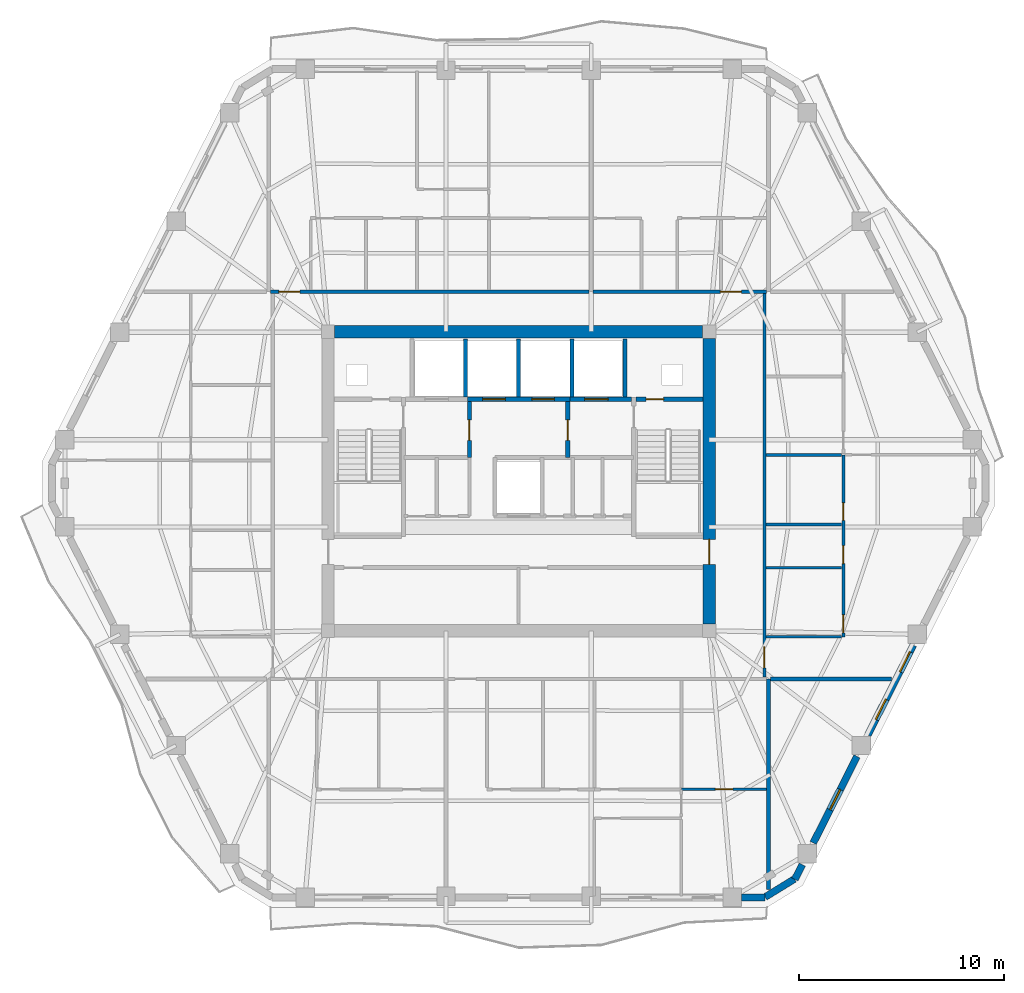
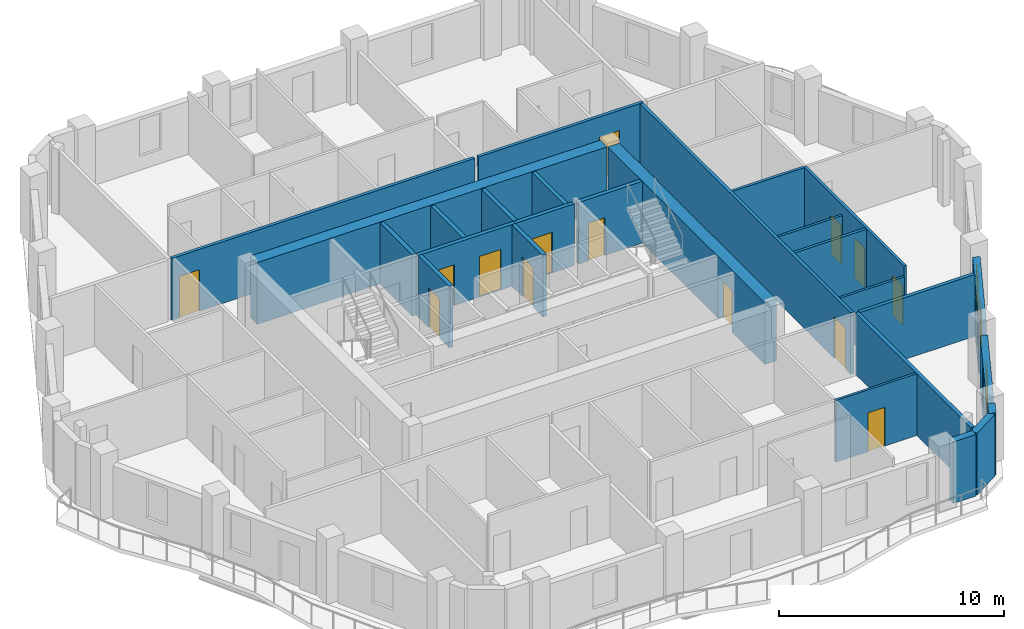
# One storey, part 6 of 11: 27 walls, 14 doors, 3 windows, 17 openings.
"""IFC4 building model written with IfcOpenShell, lengths in metres."""

from ifc_helpers import new_model, si_unit, direction, frame, frame_2d, origin, place, context, subcontext, project, spatial, rectangle, extrude, material, layer, layer_set, type_object, element, fill, save


model = new_model("IFC4")

# Units and contexts
model_context = context("Model", 3, precision=1e-05, world=origin(), true_north=direction((0.0, 1.0)))
body_context = subcontext(model_context, "Body", "Model", "MODEL_VIEW")
ifc_project = project(units=[si_unit("LENGTHUNIT", "METRE"), si_unit("AREAUNIT", "SQUARE_METRE"), si_unit("VOLUMEUNIT", "CUBIC_METRE"), si_unit("PLANEANGLEUNIT", "RADIAN"), si_unit("MASSUNIT", "GRAM", prefix="KILO")], contexts=[model_context])

# Site, building, storey
site_placement = place(None, origin())
site = spatial("IfcSite", under=ifc_project, at=site_placement, CompositionType="ELEMENT")
building_placement = place(site_placement, origin())
building = spatial("IfcBuilding", under=site, at=building_placement, Name="Cinnabar Lancet Tower", CompositionType="ELEMENT")
storey_placement = place(building_placement, frame((0.0, 0.0, 175.449951171875)))
storey = spatial("IfcBuildingStorey", under=building, at=storey_placement, Name="L46", CompositionType="ELEMENT", Elevation=175.449951171875)

# Wall, opening, door
ifc_material_1 = material(Name="Acoustic twin-stud gypsum partition", Category="gypsum")
ifc_layer_1 = layer(ifc_material_1, 0.159912109375)
ifc_layer_set_1 = layer_set([ifc_layer_1], Name="Acoustic twin-stud gypsum partition")
wall_type_1 = type_object("IfcWallType", Name="ARC-WL-CORR-160", PredefinedType="PARTITIONING", material=ifc_layer_set_1)
wall_1_placement = place(storey_placement, frame((20.294921875, 35.14990234375, 0.0), z_axis=(0.0, 0.0, 1.0), x_axis=(1.0, 0.0, 0.0)))
wall_1 = element("IfcWall", 1, at=wall_1_placement, inside=storey, type_object=wall_type_1, Name="L46 Unit N01 Corridor Wall", PredefinedType="PARTITIONING", context=body_context, shape_type="SweptSolid", body=[
    extrude(rectangle(XDim=15.552978515625, YDim=0.159912109375, at=frame_2d((7.7763671875, 0.0))), origin(), (0.0, 0.0, 1.0), 3.35009765625),
])
opening_1_placement = place(wall_1_placement, frame((0.405029296875, 0.0, 0.0)))
opening_1 = element("IfcOpeningElement", 2, at=opening_1_placement, cuts=wall_1, Name="Opening UD-01", PredefinedType="OPENING", context=body_context, shape_type="SweptSolid", body=[
    extrude(rectangle(XDim=1.02001953125, YDim=2.25, at=frame_2d((0.510009765625, 1.125))), frame((0.0, 0.08984375, 0.0), z_axis=(0.0, -1.0, 0.0), x_axis=(1.0, 0.0, 0.0)), (0.0, 0.0, 1.0), 0.179931640625),
])
ifc_material_2 = material(Name="Solid timber fire-rated apartment entrance door", Category="wood")
door_type_1 = type_object("IfcDoorType", Name="ARC-DR-UNIT", OperationType="NOTDEFINED", PredefinedType="DOOR", material=ifc_material_2)
door_1_placement = place(opening_1_placement, origin())
door_1 = element("IfcDoor", 3, at=door_1_placement, inside=storey, type_object=door_type_1, Name="DR-L46-N01-ENT", OperationType="SINGLE_SWING_LEFT", OverallHeight=2.25, OverallWidth=1.02001953125, PredefinedType="DOOR", context=body_context, shape_type="SweptSolid", body=[
    extrude(rectangle(XDim=1.02001953125, YDim=2.25, at=frame_2d((0.510009765625, 1.125))), frame((0.0, 0.02490234375, 0.0), z_axis=(0.0, -1.0, 0.0), x_axis=(1.0, 0.0, 0.0)), (0.0, 0.0, 1.0), 0.050048828125),
])
fill(opening_1, door_1)

wall_2_placement = place(storey_placement, frame((36.0380859375, 35.14990234375, 0.0), z_axis=(0.0, 0.0, 1.0), x_axis=(1.0, 0.0, 0.0)))
wall_2 = element("IfcWall", 4, at=wall_2_placement, inside=storey, type_object=wall_type_1, Name="L46 Unit N02 Corridor Wall", PredefinedType="PARTITIONING", context=body_context, shape_type="SweptSolid", body=[
    extrude(rectangle(XDim=8.466796875, YDim=0.159912109375, at=frame_2d((4.2333984375, 0.0))), origin(), (0.0, 0.0, 1.0), 3.35009765625),
])
opening_2_placement = place(wall_2_placement, frame((6.2119140625, 0.0, 0.0)))
opening_2 = element("IfcOpeningElement", 5, at=opening_2_placement, cuts=wall_2, Name="Opening UD-01", PredefinedType="OPENING", context=body_context, shape_type="SweptSolid", body=[
    extrude(rectangle(XDim=1.02001953125, YDim=2.25, at=frame_2d((0.510009765625, 1.125))), frame((0.0, 0.08984375, 0.0), z_axis=(0.0, -1.0, 0.0), x_axis=(1.0, 0.0, 0.0)), (0.0, 0.0, 1.0), 0.179931640625),
])
door_2_placement = place(opening_2_placement, origin())
door_2 = element("IfcDoor", 6, at=door_2_placement, inside=storey, type_object=door_type_1, Name="DR-L46-N02-ENT", OperationType="SINGLE_SWING_RIGHT", OverallHeight=2.25, OverallWidth=1.02001953125, PredefinedType="DOOR", context=body_context, shape_type="SweptSolid", body=[
    extrude(rectangle(XDim=1.02001953125, YDim=2.25, at=frame_2d((0.510009765625, 1.125))), frame((0.0, 0.02490234375, 0.0), z_axis=(0.0, -1.0, 0.0), x_axis=(1.0, 0.0, 0.0)), (0.0, 0.0, 1.0), 0.050048828125),
])
fill(opening_2, door_2)

wall_3_placement = place(storey_placement, frame((44.39990234375, 16.344970703125, 0.0), z_axis=(0.0, 0.0, 1.0), x_axis=(0.0, 1.0, 0.0)))
wall_3 = element("IfcWall", 7, at=wall_3_placement, inside=storey, type_object=wall_type_1, Name="UW-L46-E01-COR", PredefinedType="PARTITIONING", context=body_context, shape_type="SweptSolid", body=[
    extrude(rectangle(XDim=18.7099609375, YDim=0.159912109375, at=frame_2d((9.35498046875, 0.0))), origin(), (0.0, 0.0, 1.0), 3.35009765625),
])
opening_3_placement = place(wall_3_placement, frame((0.449951171875, 0.0, 0.0)))
opening_3 = element("IfcOpeningElement", 8, at=opening_3_placement, cuts=wall_3, Name="Opening UD-01", PredefinedType="OPENING", context=body_context, shape_type="SweptSolid", body=[
    extrude(rectangle(XDim=1.02001953125, YDim=2.25, at=frame_2d((0.510009765625, 1.125))), frame((0.0, 0.08984375, 0.0), z_axis=(0.0, -1.0, 0.0), x_axis=(1.0, 0.0, 0.0)), (0.0, 0.0, 1.0), 0.179931640625),
])
door_3_placement = place(opening_3_placement, origin())
door_3 = element("IfcDoor", 9, at=door_3_placement, inside=storey, type_object=door_type_1, Name="DR-L46-E01-ENT", OperationType="SINGLE_SWING_LEFT", OverallHeight=2.25, OverallWidth=1.02001953125, PredefinedType="DOOR", context=body_context, shape_type="SweptSolid", body=[
    extrude(rectangle(XDim=1.02001953125, YDim=2.25, at=frame_2d((0.510009765625, 1.125))), frame((0.0, 0.02490234375, 0.0), z_axis=(0.0, -1.0, 0.0), x_axis=(1.0, 0.0, 0.0)), (0.0, 0.0, 1.0), 0.050048828125),
])
fill(opening_3, door_3)

# Walls
ifc_material_3 = material(Name="Fire-rated twin-frame acoustic drywall", Category="gypsum")
ifc_layer_2 = layer(ifc_material_3, 0.179931640625)
ifc_layer_set_2 = layer_set([ifc_layer_2], Name="Fire-rated twin-frame acoustic drywall")
wall_type_2 = type_object("IfcWallType", Name="ARC-WL-PARTY-180", PredefinedType="PARTITIONING", material=ifc_layer_set_2)
wall_4_placement = place(storey_placement, frame((44.60009765625, 5.968017578125, 0.0), z_axis=(0.0, 0.0, 1.0), x_axis=(0.0, 1.0, 0.0)))
element("IfcWall", 10, at=wall_4_placement, inside=storey, type_object=wall_type_2, Name="PW-L46-SPTY-446", PredefinedType="PARTITIONING", context=body_context, shape_type="SweptSolid", body=[
    extrude(rectangle(XDim=10.281982421875, YDim=0.179931640625, at=frame_2d((5.14111328125, 0.0))), origin(), (0.0, 0.0, 1.0), 3.35009765625),
])
wall_5_placement = place(storey_placement, frame((44.695068359375, 16.25, 0.0), z_axis=(0.0, 0.0, 1.0), x_axis=(1.0, 0.0, 0.0)))
element("IfcWall", 11, at=wall_5_placement, inside=storey, type_object=wall_type_2, Name="PW-L46-ESB", PredefinedType="PARTITIONING", context=body_context, shape_type="SweptSolid", body=[
    extrude(rectangle(XDim=5.89404296875, YDim=0.179931640625, at=frame_2d((2.947021484375, 0.0))), origin(), (0.0, 0.0, 1.0), 3.35009765625),
])

# Wall, openings, doors
ifc_material_4 = material(Name="Autoclaved aerated concrete blockwork", Category="masonry")
ifc_layer_3 = layer(ifc_material_4, 0.199951171875)
ifc_layer_set_3 = layer_set([ifc_layer_3], Name="Autoclaved aerated concrete blockwork")
wall_type_3 = type_object("IfcWallType", Name="ARC-WL-SHAFT-200", PredefinedType="PLUMBINGWALL", material=ifc_layer_set_3)
wall_6_placement = place(storey_placement, frame((29.89990234375, 29.89990234375, 0.0), z_axis=(0.0, 0.0, 1.0), x_axis=(1.0, 0.0, 0.0)))
wall_6 = element("IfcWall", 12, at=wall_6_placement, inside=storey, type_object=wall_type_3, Name="CW-PL78-L46", PredefinedType="PLUMBINGWALL", context=body_context, shape_type="SweptSolid", body=[
    extrude(rectangle(XDim=5.0, YDim=0.199951171875, at=frame_2d((2.5, 0.0))), origin(), (0.0, 0.0, 1.0), 3.35009765625),
])
opening_4_placement = place(wall_6_placement, frame((0.75, 0.0, 0.0)))
opening_4 = element("IfcOpeningElement", 13, at=opening_4_placement, cuts=wall_6, Name="Opening LD-01", PredefinedType="OPENING", context=body_context, shape_type="SweptSolid", body=[
    extrude(rectangle(XDim=1.10009765625, YDim=2.199951171875, at=frame_2d((0.550048828125, 1.10009765625))), frame((0.0, 0.10986328125, 0.0), z_axis=(0.0, -1.0, 0.0), x_axis=(1.0, 0.0, 0.0)), (0.0, 0.0, 1.0), 0.219970703125),
])
opening_5_placement = place(wall_6_placement, frame((3.14990234375, 0.0, 0.0)))
opening_5 = element("IfcOpeningElement", 14, at=opening_5_placement, cuts=wall_6, Name="Opening LD-01", PredefinedType="OPENING", context=body_context, shape_type="SweptSolid", body=[
    extrude(rectangle(XDim=1.10009765625, YDim=2.199951171875, at=frame_2d((0.550048828125, 1.10009765625))), frame((0.0, 0.10986328125, 0.0), z_axis=(0.0, -1.0, 0.0), x_axis=(1.0, 0.0, 0.0)), (0.0, 0.0, 1.0), 0.219970703125),
])
ifc_material_5 = material(Name="Brushed stainless steel sliding lift door", Category="steel")
door_type_2 = type_object("IfcDoorType", Name="ARC-DR-LD-PASS", OperationType="NOTDEFINED", PredefinedType="DOOR", material=ifc_material_5)
door_4_placement = place(opening_4_placement, origin())
door_4 = element("IfcDoor", 15, at=door_4_placement, inside=storey, type_object=door_type_2, Name="L46 Lift PL-7 Landing Door", OperationType="DOUBLE_DOOR_SLIDING", OverallHeight=2.199951171875, OverallWidth=1.10009765625, PredefinedType="DOOR", context=body_context, shape_type="SweptSolid", body=[
    extrude(rectangle(XDim=1.10009765625, YDim=2.199951171875, at=frame_2d((0.550048828125, 1.10009765625))), frame((0.0, 0.02490234375, 0.0), z_axis=(0.0, -1.0, 0.0), x_axis=(1.0, 0.0, 0.0)), (0.0, 0.0, 1.0), 0.050048828125),
])
fill(opening_4, door_4)
door_5_placement = place(opening_5_placement, origin())
door_5 = element("IfcDoor", 16, at=door_5_placement, inside=storey, type_object=door_type_2, Name="L46 Lift PL-8 Landing Door", OperationType="DOUBLE_DOOR_SLIDING", OverallHeight=2.199951171875, OverallWidth=1.10009765625, PredefinedType="DOOR", context=body_context, shape_type="SweptSolid", body=[
    extrude(rectangle(XDim=1.10009765625, YDim=2.199951171875, at=frame_2d((0.550048828125, 1.10009765625))), frame((0.0, 0.02490234375, 0.0), z_axis=(0.0, -1.0, 0.0), x_axis=(1.0, 0.0, 0.0)), (0.0, 0.0, 1.0), 0.050048828125),
])
fill(opening_5, door_5)

# Wall, opening, door
wall_7_placement = place(storey_placement, frame((34.89990234375, 29.89990234375, 0.0), z_axis=(0.0, 0.0, 1.0), x_axis=(1.0, 0.0, 0.0)))
wall_7 = element("IfcWall", 17, at=wall_7_placement, inside=storey, type_object=wall_type_3, Name="CW-FL2-L46", PredefinedType="PLUMBINGWALL", context=body_context, shape_type="SweptSolid", body=[
    extrude(rectangle(XDim=3.01513671875, YDim=0.199951171875, at=frame_2d((1.507568359375, 0.0))), origin(), (0.0, 0.0, 1.0), 3.35009765625),
])
opening_6_placement = place(wall_7_placement, frame((0.72509765625, 0.0, 0.0)))
opening_6 = element("IfcOpeningElement", 18, at=opening_6_placement, cuts=wall_7, Name="Opening LD-02", PredefinedType="OPENING", context=body_context, shape_type="SweptSolid", body=[
    extrude(rectangle(XDim=1.14990234375, YDim=2.199951171875, at=frame_2d((0.574951171875, 1.10009765625))), frame((0.0, 0.10986328125, 0.0), z_axis=(0.0, -1.0, 0.0), x_axis=(1.0, 0.0, 0.0)), (0.0, 0.0, 1.0), 0.219970703125),
])
ifc_material_6 = material(Name="Fire-rated stainless steel firefighting lift landing door", Category="steel")
door_type_3 = type_object("IfcDoorType", Name="ARC-DR-LD-FIRE", OperationType="NOTDEFINED", PredefinedType="DOOR", material=ifc_material_6)
door_6_placement = place(opening_6_placement, origin())
door_6 = element("IfcDoor", 19, at=door_6_placement, inside=storey, type_object=door_type_3, Name="L46 Firefighting Lift FL-2 Landing Door", OperationType="DOUBLE_DOOR_SLIDING", OverallHeight=2.199951171875, OverallWidth=1.14990234375, PredefinedType="DOOR", context=body_context, shape_type="SweptSolid", body=[
    extrude(rectangle(XDim=1.14990234375, YDim=2.199951171875, at=frame_2d((0.574951171875, 1.10009765625))), frame((0.0, 0.02490234375, 0.0), z_axis=(0.0, -1.0, 0.0), x_axis=(1.0, 0.0, 0.0)), (0.0, 0.0, 1.0), 0.050048828125),
])
fill(opening_6, door_6)

wall_8_placement = place(storey_placement, frame((38.125, 29.89990234375, 0.0), z_axis=(0.0, 0.0, 1.0), x_axis=(1.0, 0.0, 0.0)))
wall_8 = element("IfcWall", 20, at=wall_8_placement, inside=storey, type_object=wall_type_3, Name="CW-NSH-E-L46", PredefinedType="PLUMBINGWALL", context=body_context, shape_type="SweptSolid", body=[
    extrude(rectangle(XDim=3.27001953125, YDim=0.199951171875, at=frame_2d((1.635009765625, 0.0))), origin(), (0.0, 0.0, 1.0), 3.35009765625),
])
opening_7_placement = place(wall_8_placement, frame((0.5, 0.0, 0.0)))
opening_7 = element("IfcOpeningElement", 21, at=opening_7_placement, cuts=wall_8, Name="Opening PD-02", PredefinedType="OPENING", context=body_context, shape_type="SweptSolid", body=[
    extrude(rectangle(XDim=0.85009765625, YDim=2.050048828125, at=frame_2d((0.425048828125, 1.02490234375))), frame((0.0, 0.10986328125, 0.0), z_axis=(0.0, -1.0, 0.0), x_axis=(1.0, 0.0, 0.0)), (0.0, 0.0, 1.0), 0.219970703125),
])
ifc_material_7 = material(Name="Fire-rated steel riser access door", Category="steel")
door_type_4 = type_object("IfcDoorType", Name="ARC-DR-RISER", OperationType="NOTDEFINED", PredefinedType="DOOR", material=ifc_material_7)
door_7_placement = place(opening_7_placement, origin())
door_7 = element("IfcDoor", 22, at=door_7_placement, inside=storey, type_object=door_type_4, Name="L46 East Riser Access Door", OperationType="SINGLE_SWING_RIGHT", OverallHeight=2.050048828125, OverallWidth=0.85009765625, PredefinedType="DOOR", context=body_context, shape_type="SweptSolid", body=[
    extrude(rectangle(XDim=0.85009765625, YDim=2.050048828125, at=frame_2d((0.425048828125, 1.02490234375))), frame((0.0, 0.02490234375, 0.0), z_axis=(0.0, -1.0, 0.0), x_axis=(1.0, 0.0, 0.0)), (0.0, 0.0, 1.0), 0.050048828125),
])
fill(opening_7, door_7)

# Walls
for number, where, z_axis, x_axis, name in (
    (23, (29.800048828125, 30.0, 0.0), (0.0, 0.0, 1.0), (0.0, 1.0, 0.0), "CW-NSH-D2-L46"),
    (24, (32.39990234375, 30.0, 0.0), (0.0, 0.0, 1.0), (0.0, 1.0, 0.0), "CW-NSH-D3-L46"),
    (25, (35.0, 30.0, 0.0), (0.0, 0.0, 1.0), (0.0, 1.0, 0.0), "CW-NSH-D4-L46"),
    (26, (37.60009765625, 30.0, 0.0), (0.0, 0.0, 1.0), (0.0, 1.0, 0.0), "CW-NSH-D5-L46"),
):
    element("IfcWall", number, at=place(storey_placement, frame(where, z_axis=z_axis, x_axis=x_axis)), inside=storey, type_object=wall_type_3, Name=name, PredefinedType="PLUMBINGWALL", context=body_context, shape_type="SweptSolid", body=[
        extrude(rectangle(XDim=2.85009765625, YDim=0.199951171875, at=frame_2d((1.425048828125, 0.0))), origin(), (0.0, 0.0, 1.0), 3.35009765625),
    ])

# Wall, opening, door
wall_9_placement = place(storey_placement, frame((30.0, 27.050048828125, 0.0), z_axis=(0.0, 0.0, 1.0), x_axis=(0.0, 1.0, 0.0)))
wall_9 = element("IfcWall", 27, at=wall_9_placement, inside=storey, type_object=wall_type_3, Name="CW-FF1E-L46", PredefinedType="PLUMBINGWALL", context=body_context, shape_type="SweptSolid", body=[
    extrude(rectangle(XDim=2.75, YDim=0.199951171875, at=frame_2d((1.375, 0.0))), origin(), (0.0, 0.0, 1.0), 3.35009765625),
])
opening_8_placement = place(wall_9_placement, frame((0.85009765625, 0.0, 0.0)))
opening_8 = element("IfcOpeningElement", 28, at=opening_8_placement, cuts=wall_9, Name="Opening FD-01", PredefinedType="OPENING", context=body_context, shape_type="SweptSolid", body=[
    extrude(rectangle(XDim=1.0, YDim=2.14990234375, at=frame_2d((0.5, 1.074951171875))), frame((0.0, 0.10986328125, 0.0), z_axis=(0.0, -1.0, 0.0), x_axis=(1.0, 0.0, 0.0)), (0.0, 0.0, 1.0), 0.219970703125),
])
ifc_material_8 = material(Name="Fire-rated timber-core lobby door", Category="wood")
door_type_5 = type_object("IfcDoorType", Name="ARC-DR-FFAL", OperationType="NOTDEFINED", PredefinedType="DOOR", material=ifc_material_8)
door_8_placement = place(opening_8_placement, origin())
door_8 = element("IfcDoor", 29, at=door_8_placement, inside=storey, type_object=door_type_5, Name="L46 FFAL-1 Lobby Fire Door", OperationType="SINGLE_SWING_RIGHT", OverallHeight=2.14990234375, OverallWidth=1.0, PredefinedType="DOOR", context=body_context, shape_type="SweptSolid", body=[
    extrude(rectangle(XDim=1.0, YDim=2.14990234375, at=frame_2d((0.5, 1.074951171875))), frame((0.0, 0.02490234375, 0.0), z_axis=(0.0, -1.0, 0.0), x_axis=(1.0, 0.0, 0.0)), (0.0, 0.0, 1.0), 0.050048828125),
])
fill(opening_8, door_8)

wall_10_placement = place(storey_placement, frame((34.800048828125, 27.050048828125, 0.0), z_axis=(0.0, 0.0, 1.0), x_axis=(0.0, 1.0, 0.0)))
wall_10 = element("IfcWall", 30, at=wall_10_placement, inside=storey, type_object=wall_type_3, Name="CW-FF2W-L46", PredefinedType="PLUMBINGWALL", context=body_context, shape_type="SweptSolid", body=[
    extrude(rectangle(XDim=2.75, YDim=0.199951171875, at=frame_2d((1.375, 0.0))), origin(), (0.0, 0.0, 1.0), 3.35009765625),
])
opening_9_placement = place(wall_10_placement, frame((0.85009765625, 0.0, 0.0)))
opening_9 = element("IfcOpeningElement", 31, at=opening_9_placement, cuts=wall_10, Name="Opening FD-01", PredefinedType="OPENING", context=body_context, shape_type="SweptSolid", body=[
    extrude(rectangle(XDim=1.0, YDim=2.14990234375, at=frame_2d((0.5, 1.074951171875))), frame((0.0, 0.10986328125, 0.0), z_axis=(0.0, -1.0, 0.0), x_axis=(1.0, 0.0, 0.0)), (0.0, 0.0, 1.0), 0.219970703125),
])
door_9_placement = place(opening_9_placement, origin())
door_9 = element("IfcDoor", 32, at=door_9_placement, inside=storey, type_object=door_type_5, Name="L46 FFAL-2 Lobby Fire Door", OperationType="SINGLE_SWING_LEFT", OverallHeight=2.14990234375, OverallWidth=1.0, PredefinedType="DOOR", context=body_context, shape_type="SweptSolid", body=[
    extrude(rectangle(XDim=1.0, YDim=2.14990234375, at=frame_2d((0.5, 1.074951171875))), frame((0.0, 0.02490234375, 0.0), z_axis=(0.0, -1.0, 0.0), x_axis=(1.0, 0.0, 0.0)), (0.0, 0.0, 1.0), 0.050048828125),
])
fill(opening_9, door_9)

ifc_material_9 = material(Name="Gypsum plasterboard stud partition", Category="gypsum")
ifc_layer_4 = layer(ifc_material_9, 0.125)
ifc_layer_set_4 = layer_set([ifc_layer_4], Name="Gypsum plasterboard stud partition")
wall_type_4 = type_object("IfcWallType", Name="ARC-WL-UNIT-125", PredefinedType="PARTITIONING", material=ifc_layer_set_4)
wall_11_placement = place(storey_placement, frame((40.34912109375, 10.85595703125, 0.0), z_axis=(0.0, 0.0, 1.0), x_axis=(1.0, 0.0, 0.0)))
wall_11 = element("IfcWall", 33, at=wall_11_placement, inside=storey, type_object=wall_type_4, Name="UW-L46-S02-SP2", PredefinedType="PARTITIONING", context=body_context, shape_type="SweptSolid", body=[
    extrude(rectangle(XDim=4.15576171875, YDim=0.125, at=frame_2d((2.077880859375, 0.0))), origin(), (0.0, 0.0, 1.0), 3.35009765625),
])
opening_10_placement = place(wall_11_placement, frame((1.653076171875, 0.0, 0.0)))
opening_10 = element("IfcOpeningElement", 34, at=opening_10_placement, cuts=wall_11, Name="Opening BD-01", PredefinedType="OPENING", context=body_context, shape_type="SweptSolid", body=[
    extrude(rectangle(XDim=0.860107421875, YDim=2.10009765625, at=frame_2d((0.43017578125, 1.050048828125))), frame((0.0, 0.072509765625, 0.0), z_axis=(0.0, -1.0, 0.0), x_axis=(1.0, 0.0, 0.0)), (0.0, 0.0, 1.0), 0.14501953125),
])
ifc_material_10 = material(Name="Moisture-resistant timber bathroom door", Category="wood")
door_type_6 = type_object("IfcDoorType", Name="ARC-DR-BATH", OperationType="NOTDEFINED", PredefinedType="DOOR", material=ifc_material_10)
door_10_placement = place(opening_10_placement, origin())
door_10 = element("IfcDoor", 35, at=door_10_placement, inside=storey, type_object=door_type_6, Name="DR-L46-S02-ENS", OperationType="SINGLE_SWING_LEFT", OverallHeight=2.10009765625, OverallWidth=0.860107421875, PredefinedType="DOOR", context=body_context, shape_type="SweptSolid", body=[
    extrude(rectangle(XDim=0.860107421875, YDim=2.10009765625, at=frame_2d((0.43017578125, 1.050048828125))), frame((0.0, 0.02490234375, 0.0), z_axis=(0.0, -1.0, 0.0), x_axis=(1.0, 0.0, 0.0)), (0.0, 0.0, 1.0), 0.050048828125),
])
fill(opening_10, door_10)

# Walls
for number, where, z_axis, x_axis, name in (
    (36, (44.485107421875, 18.300048828125, 0.0), (0.0, 0.0, 1.0), (1.0, 0.0, 0.0), "UW-L46-E01-FOYN"),
    (37, (44.485107421875, 23.7890625, 0.0), (0.0, 0.0, 1.0), (1.0, 0.0, 0.0), "UW-L46-E01-UDV"),
):
    element("IfcWall", number, at=place(storey_placement, frame(where, z_axis=z_axis, x_axis=x_axis)), inside=storey, type_object=wall_type_4, Name=name, PredefinedType="PARTITIONING", context=body_context, shape_type="SweptSolid", body=[
        extrude(rectangle(XDim=3.679931640625, YDim=0.125, at=frame_2d((1.83984375, 0.0))), origin(), (0.0, 0.0, 1.0), 2.80712890625),
    ])

# Wall, openings, doors
ifc_material_11 = material(Name="Moisture-resistant cement-board plumbing wall", Category="masonry")
ifc_layer_5 = layer(ifc_material_11, 0.139892578125)
ifc_layer_set_5 = layer_set([ifc_layer_5], Name="Moisture-resistant cement-board plumbing wall")
wall_type_5 = type_object("IfcWallType", Name="ARC-WL-WET-140", PredefinedType="PLUMBINGWALL", material=ifc_layer_set_5)
wall_12_placement = place(storey_placement, frame((48.25, 18.300048828125, 0.0), z_axis=(0.0, 0.0, 1.0), x_axis=(0.0, 1.0, 0.0)))
wall_12 = element("IfcWall", 38, at=wall_12_placement, inside=storey, type_object=wall_type_5, Name="UW-L46-E01-SPL", PredefinedType="PLUMBINGWALL", context=body_context, shape_type="SweptSolid", body=[
    extrude(rectangle(XDim=8.888916015625, YDim=0.139892578125, at=frame_2d((4.4443359375, 0.0))), origin(), (0.0, 0.0, 1.0), 3.35009765625),
])
opening_11_placement = place(wall_12_placement, frame((0.199951171875, 0.0, 0.0)))
opening_11 = element("IfcOpeningElement", 39, at=opening_11_placement, cuts=wall_12, Name="Opening RD-02", PredefinedType="OPENING", context=body_context, shape_type="SweptSolid", body=[
    extrude(rectangle(XDim=0.8798828125, YDim=2.14990234375, at=frame_2d((0.43994140625, 1.074951171875))), frame((0.0, 0.079833984375, 0.0), z_axis=(0.0, -1.0, 0.0), x_axis=(1.0, 0.0, 0.0)), (0.0, 0.0, 1.0), 0.159912109375),
])
opening_12_placement = place(wall_12_placement, frame((3.577880859375, 0.0, 0.0)))
opening_12 = element("IfcOpeningElement", 40, at=opening_12_placement, cuts=wall_12, Name="Opening RD-02", PredefinedType="OPENING", context=body_context, shape_type="SweptSolid", body=[
    extrude(rectangle(XDim=0.8798828125, YDim=2.14990234375, at=frame_2d((0.43994140625, 1.074951171875))), frame((0.0, 0.079833984375, 0.0), z_axis=(0.0, -1.0, 0.0), x_axis=(1.0, 0.0, 0.0)), (0.0, 0.0, 1.0), 0.159912109375),
])
opening_13_placement = place(wall_12_placement, frame((5.68896484375, 0.0, 0.0)))
opening_13 = element("IfcOpeningElement", 41, at=opening_13_placement, cuts=wall_12, Name="Opening BD-01", PredefinedType="OPENING", context=body_context, shape_type="SweptSolid", body=[
    extrude(rectangle(XDim=0.860107421875, YDim=2.10009765625, at=frame_2d((0.43017578125, 1.050048828125))), frame((0.0, 0.079833984375, 0.0), z_axis=(0.0, -1.0, 0.0), x_axis=(1.0, 0.0, 0.0)), (0.0, 0.0, 1.0), 0.159912109375),
])
door_11_placement = place(opening_13_placement, origin())
door_11 = element("IfcDoor", 42, at=door_11_placement, inside=storey, type_object=door_type_6, Name="DR-L46-E01-BTH", OperationType="SINGLE_SWING_RIGHT", OverallHeight=2.10009765625, OverallWidth=0.860107421875, PredefinedType="DOOR", context=body_context, shape_type="SweptSolid", body=[
    extrude(rectangle(XDim=0.860107421875, YDim=2.10009765625, at=frame_2d((0.43017578125, 1.050048828125))), frame((0.0, 0.02490234375, 0.0), z_axis=(0.0, -1.0, 0.0), x_axis=(1.0, 0.0, 0.0)), (0.0, 0.0, 1.0), 0.050048828125),
])
fill(opening_13, door_11)
ifc_material_12 = material(Name="Engineered timber study door", Category="wood")
door_type_7 = type_object("IfcDoorType", Name="ARC-DR-STUDY", OperationType="NOTDEFINED", PredefinedType="DOOR", material=ifc_material_12)
door_12_placement = place(opening_11_placement, origin())
door_12 = element("IfcDoor", 43, at=door_12_placement, inside=storey, type_object=door_type_7, Name="DR-L46-E01-KIT", OperationType="SINGLE_SWING_RIGHT", OverallHeight=2.14990234375, OverallWidth=0.8798828125, PredefinedType="DOOR", context=body_context, shape_type="SweptSolid", body=[
    extrude(rectangle(XDim=0.8798828125, YDim=2.14990234375, at=frame_2d((0.43994140625, 1.074951171875))), frame((0.0, 0.02490234375, 0.0), z_axis=(0.0, -1.0, 0.0), x_axis=(1.0, 0.0, 0.0)), (0.0, 0.0, 1.0), 0.050048828125),
])
fill(opening_11, door_12)
door_13_placement = place(opening_12_placement, origin())
door_13 = element("IfcDoor", 44, at=door_13_placement, inside=storey, type_object=door_type_7, Name="DR-L46-E01-UTL", OperationType="SINGLE_SWING_LEFT", OverallHeight=2.14990234375, OverallWidth=0.8798828125, PredefinedType="DOOR", context=body_context, shape_type="SweptSolid", body=[
    extrude(rectangle(XDim=0.8798828125, YDim=2.14990234375, at=frame_2d((0.43994140625, 1.074951171875))), frame((0.0, 0.02490234375, 0.0), z_axis=(0.0, -1.0, 0.0), x_axis=(1.0, 0.0, 0.0)), (0.0, 0.0, 1.0), 0.050048828125),
])
fill(opening_12, door_13)

# Walls
for number, where, z_axis, x_axis, name in (
    (45, (44.485107421875, 27.18896484375, 0.0), (0.0, 0.0, 1.0), (1.0, 0.0, 0.0), "UW-L46-E01-ENSN"),
    (46, (44.485107421875, 21.677978515625, 0.0), (0.0, 0.0, 1.0), (1.0, 0.0, 0.0), "UW-L46-E01-KDV"),
):
    element("IfcWall", number, at=place(storey_placement, frame(where, z_axis=z_axis, x_axis=x_axis)), inside=storey, type_object=wall_type_5, Name=name, PredefinedType="PLUMBINGWALL", context=body_context, shape_type="SweptSolid", body=[
        extrude(rectangle(XDim=3.679931640625, YDim=0.139892578125, at=frame_2d((1.83984375, 0.0))), origin(), (0.0, 0.0, 1.0), 3.35009765625),
    ])
ifc_material_13 = material(Name="Cinnabar red clay brick", Category="masonry")
ifc_layer_6 = layer(ifc_material_13, 0.340087890625)
ifc_layer_set_6 = layer_set([ifc_layer_6], Name="Cinnabar red clay brick")
wall_type_6 = type_object("IfcWallType", Name="ENV-WL-BRK-RED-340", PredefinedType="STANDARD", material=ifc_layer_set_6)
wall_13_placement = place(storey_placement, frame((44.43310546875, 5.60498046875, 0.0), z_axis=(0.0, 0.0, 1.0), x_axis=(0.851778214877, 0.523902541185, 0.0)))
element("IfcWall", 47, at=wall_13_placement, inside=storey, type_object=wall_type_6, Name="L46 Chamfered Corner Brick Pier 2.1", PredefinedType="STANDARD", context=body_context, shape_type="SweptSolid", body=[
    extrude(rectangle(XDim=1.677734375, YDim=0.340087890625, at=frame_2d((0.8388671875, 0.0))), origin(), (0.0, 0.0, 1.0), 3.35009765625),
])
wall_14_placement = place(storey_placement, frame((43.27490234375, 5.580078125, 0.0), z_axis=(0.0, 0.0, 1.0), x_axis=(1.0, 0.0, 0.0)))
element("IfcWall", 48, at=wall_14_placement, inside=storey, type_object=wall_type_6, Name="L46 Face 1 Masonry Bay Wall 5", PredefinedType="STANDARD", context=body_context, shape_type="SweptSolid", body=[
    extrude(rectangle(XDim=1.1630859375, YDim=0.340087890625, at=frame_2d((0.58154296875, 0.0))), origin(), (0.0, 0.0, 1.0), 3.35009765625),
])
wall_15_placement = place(storey_placement, frame((45.882080078125, 6.468017578125, 0.0), z_axis=(0.0, 0.0, 1.0), x_axis=(0.451691568309, 0.892174157392, 0.0)))
element("IfcWall", 49, at=wall_15_placement, inside=storey, type_object=wall_type_6, Name="L46 Face 2 Masonry Bay Wall 1", PredefinedType="STANDARD", context=body_context, shape_type="SweptSolid", body=[
    extrude(rectangle(XDim=0.805908203125, YDim=0.340087890625, at=frame_2d((0.40283203125, 0.0))), origin(), (0.0, 0.0, 1.0), 3.35009765625),
])

# Wall, opening, window
wall_16_placement = place(storey_placement, frame((46.782958984375, 8.2490234375, 0.0), z_axis=(0.0, 0.0, 1.0), x_axis=(0.451522864045, 0.892259549259, 0.0)))
wall_16 = element("IfcWall", 50, at=wall_16_placement, inside=storey, type_object=wall_type_6, Name="L46 Face 2 Masonry Bay Wall 2", PredefinedType="STANDARD", context=body_context, shape_type="SweptSolid", body=[
    extrude(rectangle(XDim=4.730712890625, YDim=0.340087890625, at=frame_2d((2.365234375, 0.0))), origin(), (0.0, 0.0, 1.0), 2.883056640625),
])
opening_14_placement = place(wall_16_placement, frame((1.81494140625, 0.0, 0.75)))
opening_14 = element("IfcOpeningElement", 51, at=opening_14_placement, cuts=wall_16, Name="Opening WN-04", PredefinedType="OPENING", context=body_context, shape_type="SweptSolid", body=[
    extrude(rectangle(XDim=1.10009765625, YDim=1.98291015625, at=frame_2d((0.550048828125, 0.991455078125))), frame((0.0, 0.179931640625, 0.0), z_axis=(0.0, -1.0, 0.0), x_axis=(1.0, 0.0, 0.0)), (0.0, 0.0, 1.0), 0.360107421875),
])
ifc_material_14 = material(Name="Thermally broken bronze-anodized aluminium tall lancet window", Category="aluminium")
window_type = type_object("IfcWindowType", Name="ENV-WN-LANCET-1100", PartitioningType="SINGLE_PANEL", PredefinedType="WINDOW", material=ifc_material_14)
window_1_placement = place(opening_14_placement, origin())
window_1 = element("IfcWindow", 52, at=window_1_placement, inside=storey, type_object=window_type, Name="L46 Face 2 Gothic Lancet Window 2", OverallHeight=1.98291015625, OverallWidth=1.10009765625, PartitioningType="SINGLE_PANEL", PredefinedType="WINDOW", context=body_context, shape_type="SweptSolid", body=[
    extrude(rectangle(XDim=1.10009765625, YDim=1.98291015625, at=frame_2d((0.550048828125, 0.991455078125))), frame((0.0, 0.030029296875, 0.0), z_axis=(0.0, -1.0, 0.0), x_axis=(1.0, 0.0, 0.0)), (0.0, 0.0, 1.0), 0.06005859375),
])
fill(opening_14, window_1)

# Wall, openings, windows
wall_17_placement = place(storey_placement, frame((49.447998046875, 13.51708984375, 0.0), z_axis=(0.0, 0.0, 1.0), x_axis=(0.451544279509, 0.892248711763, 0.0)))
wall_17 = element("IfcWall", 53, at=wall_17_placement, inside=storey, type_object=wall_type_6, Name="L46 Face 2 Masonry Bay Wall 3", PredefinedType="STANDARD", context=body_context, shape_type="SweptSolid", body=[
    extrude(rectangle(XDim=4.909912109375, YDim=0.340087890625, at=frame_2d((2.455078125, 0.0))), origin(), (0.0, 0.0, 1.0), 2.883056640625),
])
opening_15_placement = place(wall_17_placement, frame((0.85107421875, 0.0, 0.75)))
opening_15 = element("IfcOpeningElement", 54, at=opening_15_placement, cuts=wall_17, Name="Opening WN-04", PredefinedType="OPENING", context=body_context, shape_type="SweptSolid", body=[
    extrude(rectangle(XDim=1.10009765625, YDim=1.98291015625, at=frame_2d((0.550048828125, 0.991455078125))), frame((0.0, 0.179931640625, 0.0), z_axis=(0.0, -1.0, 0.0), x_axis=(1.0, 0.0, 0.0)), (0.0, 0.0, 1.0), 0.360107421875),
])
opening_16_placement = place(wall_17_placement, frame((3.45703125, 0.0, 0.75)))
opening_16 = element("IfcOpeningElement", 55, at=opening_16_placement, cuts=wall_17, Name="Opening WN-04", PredefinedType="OPENING", context=body_context, shape_type="SweptSolid", body=[
    extrude(rectangle(XDim=1.10009765625, YDim=1.98291015625, at=frame_2d((0.550048828125, 0.991455078125))), frame((0.0, 0.179931640625, 0.0), z_axis=(0.0, -1.0, 0.0), x_axis=(1.0, 0.0, 0.0)), (0.0, 0.0, 1.0), 0.360107421875),
])
window_2_placement = place(opening_15_placement, origin())
window_2 = element("IfcWindow", 56, at=window_2_placement, inside=storey, type_object=window_type, Name="L46 Face 2 Gothic Lancet Window 3", OverallHeight=1.98291015625, OverallWidth=1.10009765625, PartitioningType="SINGLE_PANEL", PredefinedType="WINDOW", context=body_context, shape_type="SweptSolid", body=[
    extrude(rectangle(XDim=1.10009765625, YDim=1.98291015625, at=frame_2d((0.550048828125, 0.991455078125))), frame((0.0, 0.030029296875, 0.0), z_axis=(0.0, -1.0, 0.0), x_axis=(1.0, 0.0, 0.0)), (0.0, 0.0, 1.0), 0.06005859375),
])
fill(opening_15, window_2)
window_3_placement = place(opening_16_placement, origin())
window_3 = element("IfcWindow", 57, at=window_3_placement, inside=storey, type_object=window_type, Name="L46 Split-Bay Gothic Lancet Window 136", OverallHeight=1.98291015625, OverallWidth=1.10009765625, PartitioningType="SINGLE_PANEL", PredefinedType="WINDOW", context=body_context, shape_type="SweptSolid", body=[
    extrude(rectangle(XDim=1.10009765625, YDim=1.98291015625, at=frame_2d((0.550048828125, 0.991455078125))), frame((0.0, 0.030029296875, 0.0), z_axis=(0.0, -1.0, 0.0), x_axis=(1.0, 0.0, 0.0)), (0.0, 0.0, 1.0), 0.06005859375),
])
fill(opening_16, window_3)

# Wall
ifc_material_15 = material(Name="Concrete C60/75", Category="concrete")
ifc_layer_7 = layer(ifc_material_15, 0.60009765625)
ifc_layer_set_7 = layer_set([ifc_layer_7], Name="Concrete C60/75")
wall_type_7 = type_object("IfcWallType", Name="STR-WL-CORE-600", PredefinedType="SHEAR", material=ifc_layer_set_7)
wall_18_placement = place(storey_placement, frame((23.425048828125, 33.199951171875, 0.0), z_axis=(0.0, 0.0, 1.0), x_axis=(1.0, 0.0, 0.0)))
element("IfcWall", 58, at=wall_18_placement, inside=storey, type_object=wall_type_7, Name="L46 Core Shear Wall N", PredefinedType="SHEAR", context=body_context, shape_type="SweptSolid", body=[
    extrude(rectangle(XDim=17.949951171875, YDim=0.60009765625, at=frame_2d((8.97509765625, 0.0))), origin(), (0.0, 0.0, 1.0), 3.35009765625),
])

# Wall, opening, door
wall_19_placement = place(storey_placement, frame((41.699951171875, 18.925048828125, 0.0), z_axis=(0.0, 0.0, 1.0), x_axis=(0.0, 1.0, 0.0)))
wall_19 = element("IfcWall", 59, at=wall_19_placement, inside=storey, type_object=wall_type_7, Name="L46 Core Shear Wall E", PredefinedType="SHEAR", context=body_context, shape_type="SweptSolid", body=[
    extrude(rectangle(XDim=13.949951171875, YDim=0.60009765625, at=frame_2d((6.97509765625, 0.0))), origin(), (0.0, 0.0, 1.0), 3.35009765625),
])
opening_17_placement = place(wall_19_placement, frame((2.9150390625, 0.0, 0.0)))
opening_17 = element("IfcOpeningElement", 60, at=opening_17_placement, cuts=wall_19, Name="Opening FD-02", PredefinedType="OPENING", context=body_context, shape_type="SweptSolid", body=[
    extrude(rectangle(XDim=1.219970703125, YDim=2.25, at=frame_2d((0.60986328125, 1.125))), frame((0.0, 0.31005859375, 0.0), z_axis=(0.0, -1.0, 0.0), x_axis=(1.0, 0.0, 0.0)), (0.0, 0.0, 1.0), 0.6201171875),
])
ifc_material_16 = material(Name="Fire-rated double-vision core portal door", Category="wood")
door_type_8 = type_object("IfcDoorType", Name="ARC-DR-CPORT", OperationType="NOTDEFINED", PredefinedType="DOOR", material=ifc_material_16)
door_14_placement = place(opening_17_placement, origin())
door_14 = element("IfcDoor", 61, at=door_14_placement, inside=storey, type_object=door_type_8, Name="L46 East Core Lobby Fire Door", OperationType="SINGLE_SWING_LEFT", OverallHeight=2.25, OverallWidth=1.219970703125, PredefinedType="DOOR", context=body_context, shape_type="SweptSolid", body=[
    extrude(rectangle(XDim=1.219970703125, YDim=2.25, at=frame_2d((0.60986328125, 1.125))), frame((0.0, 0.02490234375, 0.0), z_axis=(0.0, -1.0, 0.0), x_axis=(1.0, 0.0, 0.0)), (0.0, 0.0, 1.0), 0.050048828125),
])
fill(opening_17, door_14)

save(model, "model.ifc")
